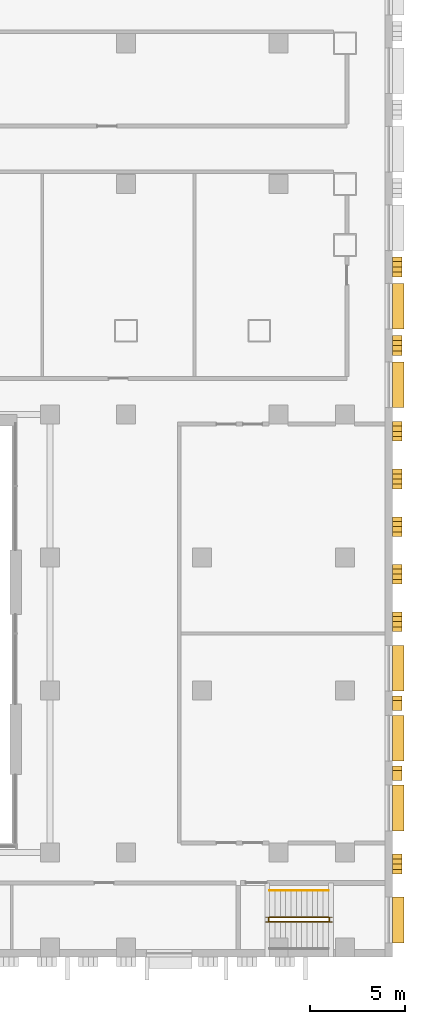
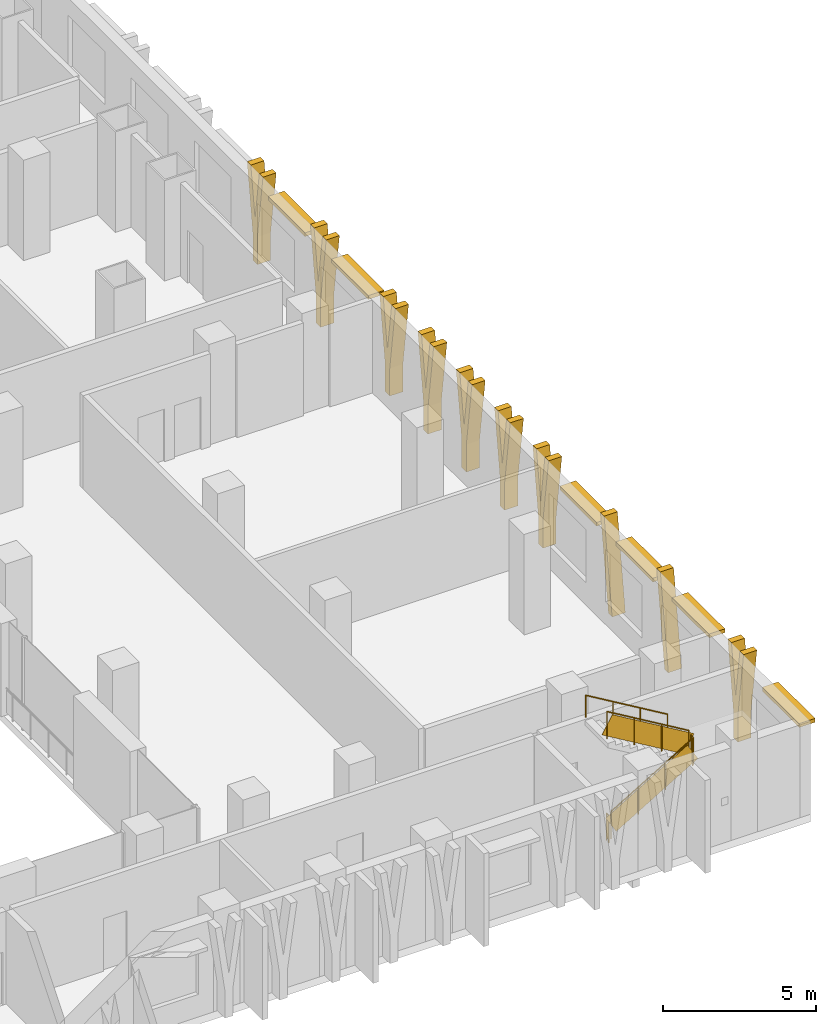
# One storey, part 23 of 26: 16 shading devices, 5 railings.
"""IFC4 building model written with IfcOpenShell, lengths in metres."""

from ifc_helpers import new_model, si_unit, direction, frame, origin, origin_2d, place, context, subcontext, project, spatial, polyline, rectangle, circle, outline, extrude, material, layer, layer_set, type_object, element, save


model = new_model("IFC4")

# Units and contexts
model_context = context("Model", 3, precision=1e-05, world=origin(), true_north=direction((0.0, 1.0)))
body_context = subcontext(model_context, "Body", "Model", "MODEL_VIEW")
ifc_project = project(units=[si_unit("LENGTHUNIT", "METRE"), si_unit("AREAUNIT", "SQUARE_METRE"), si_unit("VOLUMEUNIT", "CUBIC_METRE"), si_unit("PLANEANGLEUNIT", "RADIAN"), si_unit("MASSUNIT", "GRAM", prefix="KILO")], contexts=[model_context])

# Site, building, storey
site_placement = place(None, origin())
site = spatial("IfcSite", under=ifc_project, at=site_placement, CompositionType="ELEMENT")
building_placement = place(site_placement, origin())
building = spatial("IfcBuilding", under=site, at=building_placement, Name="Vidyagriha Tower", CompositionType="ELEMENT")
storey_placement = place(building_placement, frame((0.0, 0.0, 6.0)))
storey = spatial("IfcBuildingStorey", under=building, at=storey_placement, Name="L01", CompositionType="ELEMENT", Elevation=6.0)

# Shading devices
ifc_material_1 = material(Name="Precast concrete C40/50 with brick facing", Category="concrete")
ifc_layer_1 = layer(ifc_material_1, 0.14990234375)
ifc_layer_set_1 = layer_set([ifc_layer_1], Name="Precast concrete C40/50 with brick facing")
shading_device_type_1 = type_object("IfcShadingDeviceType", Name="Brick chhajja window hood", PredefinedType="AWNING", material=ifc_layer_set_1)
for number, where, z_axis, x_axis, name in (
    (1, (40.300048828125, -48.050048828125, 3.0), (0.0, 0.0, 1.0), (0.0, 1.0, 0.0), "Window hood L01 R01.1"),
    (2, (40.300048828125, -42.166748046875, 3.0), (0.0, 0.0, 1.0), (0.0, 1.0, 0.0), "Window hood L01 R01.3"),
    (3, (40.300048828125, -38.5, 3.0), (0.0, 0.0, 1.0), (0.0, 1.0, 0.0), "Window hood L01 R01.4"),
    (4, (40.300048828125, -34.833251953125, 3.0), (0.0, 0.0, 1.0), (0.0, 1.0, 0.0), "Window hood L01 R01.5"),
    (5, (40.300048828125, -19.9375, 3.0), (0.0, 0.0, 1.0), (0.0, 1.0, 0.0), "Window hood L01 R01.10"),
    (6, (40.300048828125, -15.8125, 3.0), (0.0, 0.0, 1.0), (0.0, 1.0, 0.0), "Window hood L01 R01.11"),
):
    element("IfcShadingDevice", number, at=place(storey_placement, frame(where, z_axis=z_axis, x_axis=x_axis)), inside=storey, type_object=shading_device_type_1, Name=name, PredefinedType="AWNING", context=body_context, shape_type="SweptSolid", body=[
        extrude(rectangle(XDim=2.39990234375, YDim=0.60009765625, at=origin_2d()), origin(), (0.0, 0.0, 1.0), 0.14990234375),
    ])
ifc_material_2 = material(Name="Precast concrete C40/50 with buff brick facing", Category="concrete")
ifc_layer_2 = layer(ifc_material_2, 0.300048828125)
ifc_layer_set_2 = layer_set([ifc_layer_2], Name="Precast concrete C40/50 with buff brick facing")
shading_device_type_2 = type_object("IfcShadingDeviceType", Name="Brick-faced podium blade forking 8 degrees", PredefinedType="USERDEFINED", material=ifc_layer_set_2)
for number, where, z_axis, x_axis, name in (
    (7, (40.25, -45.623779296875, 0.0), (0.0, 0.0, 1.0), (0.0, 1.0, 0.0), "Podium blade L01 R01.489"),
    (8, (40.25, -32.899169921875, 0.0), (0.0, 0.0, 1.0), (0.0, 1.0, 0.0), "Podium blade L01 R01.1762"),
    (9, (40.25, -30.39990234375, 0.0), (0.0, 0.0, 1.0), (0.0, 1.0, 0.0), "Podium blade L01 R01.2012"),
    (10, (40.25, -27.90087890625, 0.0), (0.0, 0.0, 1.0), (0.0, 1.0, 0.0), "Podium blade L01 R01.2261"),
    (11, (40.25, -25.401611328125, 0.0), (0.0, 0.0, 1.0), (0.0, 1.0, 0.0), "Podium blade L01 R01.2511"),
    (12, (40.25, -22.902587890625, 0.0), (0.0, 0.0, 1.0), (0.0, 1.0, 0.0), "Podium blade L01 R01.2761"),
    (13, (40.25, -18.390380859375, 0.0), (0.0, 0.0, 1.0), (0.0, 1.0, 0.0), "Podium blade L01 R01.3212"),
    (14, (40.25, -14.265380859375, 0.0), (0.0, 0.0, 1.0), (0.0, 1.0, 0.0), "Podium blade L01 R01.3625"),
):
    element("IfcShadingDevice", number, at=place(storey_placement, frame(where, z_axis=z_axis, x_axis=x_axis)), inside=storey, type_object=shading_device_type_2, Name=name, ObjectType="BLADE FIN", PredefinedType="USERDEFINED", context=body_context, shape_type="SweptSolid", body=[
        extrude(outline(polyline([(0.665283203125, 0.0), (0.665283203125, 1.10009765625), (1.03076171875, 3.699951171875), (0.790771484375, 3.699951171875), (0.515380859375, 1.740478515625), (0.239990234375, 3.699951171875), (0.0, 3.699951171875), (0.365478515625, 1.10009765625), (0.365478515625, 0.0), (0.665283203125, 0.0)])), frame((0.0, 0.25, 0.0), z_axis=(0.0, -1.0, 0.0), x_axis=(1.0, 0.0, 0.0)), (0.0, 0.0, 1.0), 0.5),
    ])
ifc_material_3 = material(Name="Precast concrete C40/50 with buff brick facing", Category="concrete")
ifc_layer_3 = layer(ifc_material_3, 0.239990234375)
ifc_layer_set_3 = layer_set([ifc_layer_3], Name="Precast concrete C40/50 with buff brick facing")
shading_device_type_3 = type_object("IfcShadingDeviceType", Name="Brick-faced podium blade leaning 8 degrees", PredefinedType="USERDEFINED", material=ifc_layer_set_3)
for number, where, z_axis, x_axis, name in (
    (15, (40.25, -40.71337890625, 0.0), (0.0, 0.0, 1.0), (0.0, 1.0, 0.0), "Podium blade L01 R01.967"),
    (16, (40.25, -37.046630859375, 0.0), (0.0, 0.0, 1.0), (0.0, 1.0, 0.0), "Podium blade L01 R01.1333"),
):
    element("IfcShadingDevice", number, at=place(storey_placement, frame(where, z_axis=z_axis, x_axis=x_axis)), inside=storey, type_object=shading_device_type_3, Name=name, ObjectType="BLADE FIN", PredefinedType="USERDEFINED", context=body_context, shape_type="SweptSolid", body=[
        extrude(outline(polyline([(0.0, 0.0), (0.239990234375, 0.0), (0.760009765625, 3.699951171875), (0.52001953125, 3.699951171875), (0.0, 0.0)])), frame((0.0, 0.25, 0.0), z_axis=(0.0, -1.0, 0.0), x_axis=(1.0, 0.0, 0.0)), (0.0, 0.0, 1.0), 0.5),
    ])

# Railings
ifc_material_4 = material(Name="Powder coated ASTM A500 Grade C steel balustrade", Category="steel")
railing_type_1 = type_object("IfcRailingType", Name="Podium Stair Guard 1100", PredefinedType="GUARDRAIL", material=ifc_material_4)
railing_1_placement = place(storey_placement, frame((33.544921875, -48.14990234375, 0.166748046875)))
element("IfcRailing", 17, at=railing_1_placement, inside=storey, type_object=railing_type_1, Name="L01 PS2 stair guard 1", PredefinedType="GUARDRAIL", context=body_context, shape_type="SweptSolid", body=[
    extrude(circle(Radius=0.02392578125, at=origin_2d()), frame((0.0, 0.0, 1.076171875), z_axis=(0.859308565015, 0.0, 0.511457515432), x_axis=(0.0, 1.0, 0.0)), (0.0, 0.0, 1.0), 3.58447265625),
    extrude(circle(Radius=0.02099609375, at=origin_2d()), origin(), (0.0, 0.0, 1.0), 1.052001953125),
    extrude(circle(Radius=0.02099609375, at=origin_2d()), frame((1.026611328125, 0.0, 0.611083984375)), (0.0, 0.0, 1.0), 1.052001953125),
    extrude(circle(Radius=0.02099609375, at=origin_2d()), frame((2.053466796875, 0.0, 1.22216796875)), (0.0, 0.0, 1.0), 1.052001953125),
    extrude(circle(Radius=0.02099609375, at=origin_2d()), frame((3.080078125, 0.0, 1.833251953125)), (0.0, 0.0, 1.0), 1.052001953125),
    extrude(rectangle(XDim=0.010009765625, YDim=0.775146484375, at=origin_2d()), frame((0.0, 0.0, 0.551025390625), z_axis=(0.859308565015, 0.0, 0.511457515432), x_axis=(0.0, 1.0, 0.0)), (0.0, 0.0, 1.0), 3.58447265625),
])
railing_2_placement = place(storey_placement, frame((36.675048828125, -48.10009765625, 2.0)))
element("IfcRailing", 18, at=railing_2_placement, inside=storey, type_object=railing_type_1, Name="L01 PS2 stair guard 2", PredefinedType="GUARDRAIL", context=body_context, shape_type="SweptSolid", body=[
    extrude(circle(Radius=0.02392578125, at=origin_2d()), frame((0.0, 0.0, 1.076171875), z_axis=(0.0, 1.0, 0.0), x_axis=(-1.0, 0.0, 0.0)), (0.0, 0.0, 1.0), 0.150146484375),
    extrude(circle(Radius=0.02099609375, at=origin_2d()), origin(), (0.0, 0.0, 1.0), 1.052001953125),
    extrude(circle(Radius=0.02099609375, at=origin_2d()), frame((0.0, 0.150146484375, 0.0)), (0.0, 0.0, 1.0), 1.052001953125),
    extrude(rectangle(XDim=0.010009765625, YDim=0.902099609375, at=origin_2d()), frame((0.0, 0.0, 0.551025390625), z_axis=(0.0, 1.0, 0.0), x_axis=(-1.0, 0.0, 0.0)), (0.0, 0.0, 1.0), 0.150146484375),
])
railing_3_placement = place(storey_placement, frame((36.625, -47.89990234375, 2.166748046875)))
element("IfcRailing", 19, at=railing_3_placement, inside=storey, type_object=railing_type_1, Name="L01 PS2 stair guard 3", PredefinedType="GUARDRAIL", context=body_context, shape_type="SweptSolid", body=[
    extrude(circle(Radius=0.02392578125, at=origin_2d()), frame((0.0, 0.0, 1.076171875), z_axis=(-0.859308565015, 0.0, 0.511457515432), x_axis=(0.0, -1.0, 0.0)), (0.0, 0.0, 1.0), 3.58447265625),
    extrude(circle(Radius=0.02099609375, at=origin_2d()), origin(), (0.0, 0.0, 1.0), 1.052001953125),
    extrude(circle(Radius=0.02099609375, at=origin_2d()), frame((-1.026611328125, 0.0, 0.611083984375)), (0.0, 0.0, 1.0), 1.052001953125),
    extrude(circle(Radius=0.02099609375, at=origin_2d()), frame((-2.053466796875, 0.0, 1.22216796875)), (0.0, 0.0, 1.0), 1.052001953125),
    extrude(circle(Radius=0.02099609375, at=origin_2d()), frame((-3.080078125, 0.0, 1.833251953125)), (0.0, 0.0, 1.0), 1.052001953125),
    extrude(rectangle(XDim=0.010009765625, YDim=0.775146484375, at=origin_2d()), frame((0.0, 0.0, 0.551025390625), z_axis=(-0.859308565015, 0.0, 0.511457515432), x_axis=(0.0, -1.0, 0.0)), (0.0, 0.0, 1.0), 3.58447265625),
])
railing_4_placement = place(storey_placement, frame((33.4951171875, -48.10009765625, 0.0)))
element("IfcRailing", 20, at=railing_4_placement, inside=storey, type_object=railing_type_1, Name="L01 PS2 stair guard 4", PredefinedType="GUARDRAIL", context=body_context, shape_type="SweptSolid", body=[
    extrude(circle(Radius=0.02392578125, at=origin_2d()), frame((0.0, 0.0, 1.076171875), z_axis=(0.0, 1.0, 0.0), x_axis=(-1.0, 0.0, 0.0)), (0.0, 0.0, 1.0), 0.150146484375),
    extrude(circle(Radius=0.02099609375, at=origin_2d()), origin(), (0.0, 0.0, 1.0), 1.052001953125),
    extrude(circle(Radius=0.02099609375, at=origin_2d()), frame((0.0, 0.150146484375, 0.0)), (0.0, 0.0, 1.0), 1.052001953125),
    extrude(rectangle(XDim=0.010009765625, YDim=0.902099609375, at=origin_2d()), frame((0.0, 0.0, 0.551025390625), z_axis=(0.0, 1.0, 0.0), x_axis=(-1.0, 0.0, 0.0)), (0.0, 0.0, 1.0), 0.150146484375),
])
ifc_material_5 = material(Name="Powder coated ASTM A500 Grade C steel handrail", Category="steel")
railing_type_2 = type_object("IfcRailingType", Name="Podium Stair Handrail 900", PredefinedType="HANDRAIL", material=ifc_material_5)
railing_5_placement = place(storey_placement, frame((36.625, -46.5, 2.166748046875)))
element("IfcRailing", 21, at=railing_5_placement, inside=storey, type_object=railing_type_2, Name="L01 PS2 stair handrail 2", PredefinedType="HANDRAIL", context=body_context, shape_type="SweptSolid", body=[
    extrude(circle(Radius=0.02392578125, at=origin_2d()), frame((0.0, 0.0, 0.8759765625), z_axis=(-0.859308565015, 0.0, 0.511457515432), x_axis=(0.0, -1.0, 0.0)), (0.0, 0.0, 1.0), 3.58447265625),
    extrude(circle(Radius=0.02099609375, at=origin_2d()), origin(), (0.0, 0.0, 1.0), 0.851806640625),
    extrude(circle(Radius=0.02099609375, at=origin_2d()), frame((-1.026611328125, 0.0, 0.611083984375)), (0.0, 0.0, 1.0), 0.851806640625),
    extrude(circle(Radius=0.02099609375, at=origin_2d()), frame((-2.053466796875, 0.0, 1.22216796875)), (0.0, 0.0, 1.0), 0.851806640625),
    extrude(circle(Radius=0.02099609375, at=origin_2d()), frame((-3.080078125, 0.0, 1.833251953125)), (0.0, 0.0, 1.0), 0.851806640625),
])

save(model, "model.ifc")
